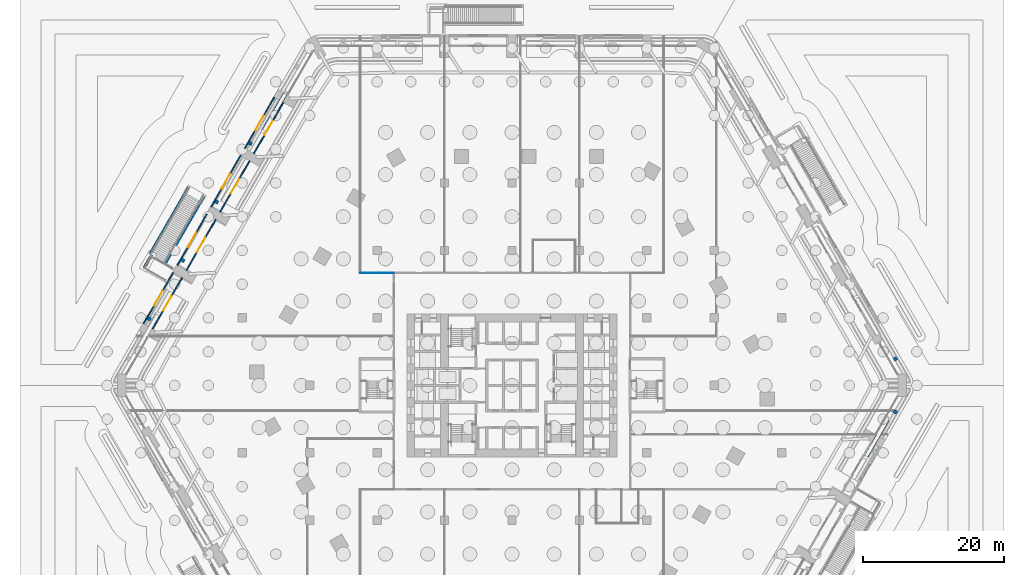
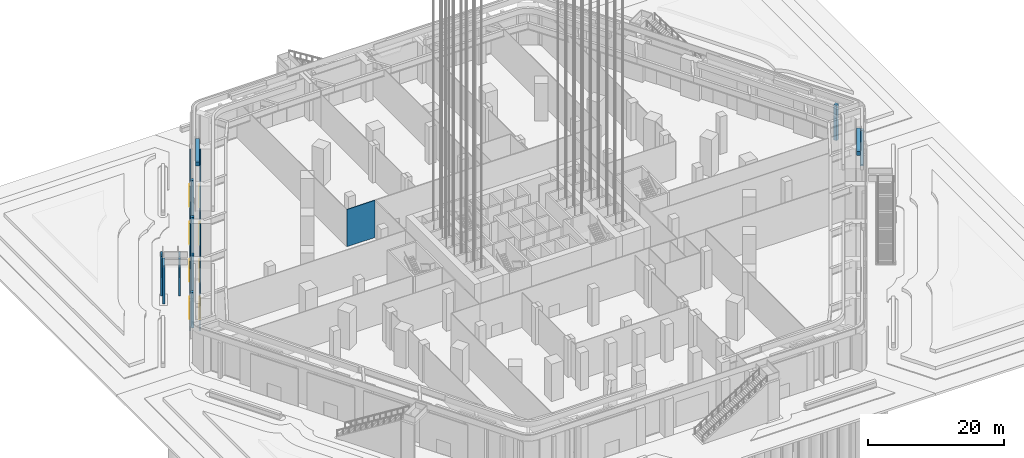
# One storey, part 18 of 68: 20 walls, 8 doors, 8 openings.
"""IFC4 building model written with IfcOpenShell, lengths in metres."""

from ifc_helpers import new_model, si_unit, direction, frame, frame_2d, origin, place, context, subcontext, project, spatial, polyline, rectangle, outline, extrude, material, layer, layer_set, type_object, element, fill, save


model = new_model("IFC4")

# Units and contexts
model_context = context("Model", 3, precision=1e-05, world=origin(), true_north=direction((0.0, 1.0)))
body_context = subcontext(model_context, "Body", "Model", "MODEL_VIEW")
ifc_project = project(units=[si_unit("LENGTHUNIT", "METRE"), si_unit("AREAUNIT", "SQUARE_METRE"), si_unit("VOLUMEUNIT", "CUBIC_METRE"), si_unit("PLANEANGLEUNIT", "RADIAN"), si_unit("MASSUNIT", "GRAM", prefix="KILO")], contexts=[model_context])

# Site, building, storey
site_placement = place(None, origin())
site = spatial("IfcSite", under=ifc_project, at=site_placement, CompositionType="ELEMENT")
building_placement = place(site_placement, origin())
building = spatial("IfcBuilding", under=site, at=building_placement, Name="Kolab Exchange Tower", CompositionType="ELEMENT")
storey_placement = place(building_placement, origin())
storey = spatial("IfcBuildingStorey", under=building, at=storey_placement, Name="L00", CompositionType="ELEMENT", Elevation=0.0)

# Wall, opening, door
ifc_material_1 = material(Name="Aluminium EN AW-6063 T6", Category="aluminium")
ifc_layer_1 = layer(ifc_material_1, 0.159912109375)
ifc_layer_set_1 = layer_set([ifc_layer_1], Name="Aluminium EN AW-6063 T6")
wall_type_1 = type_object("IfcWallType", Name="DOOR SURROUND WALL 160 ALUMINIUM FRAMED", PredefinedType="PARTITIONING", material=ifc_layer_set_1)
wall_1_placement = place(storey_placement, frame((-51.130615234375, 8.045166015625, 0.0), z_axis=(0.0, 0.0, 1.0), x_axis=(0.49999513524, 0.866028212437, 0.0)))
wall_1 = element("IfcWall", 1, at=wall_1_placement, inside=storey, type_object=wall_type_1, Name="Door surround wall", PredefinedType="PARTITIONING", context=body_context, shape_type="SweptSolid", body=[
    extrude(rectangle(XDim=8.39599609375, YDim=0.159912109375, at=frame_2d((4.197998046875, 0.0))), origin(), (0.0, 0.0, 1.0), 6.699951171875),
])
opening_1_placement = place(wall_1_placement, frame((2.998046875, 0.0, 0.0)))
opening_1 = element("IfcOpeningElement", 2, at=opening_1_placement, cuts=wall_1, Name="Opening ED1-022", PredefinedType="OPENING", context=body_context, shape_type="SweptSolid", body=[
    extrude(rectangle(XDim=2.39990234375, YDim=2.39990234375, at=frame_2d((1.199951171875, 1.199951171875))), frame((0.0, 0.08984375, 0.0), z_axis=(0.0, -1.0, 0.0), x_axis=(1.0, 0.0, 0.0)), (0.0, 0.0, 1.0), 0.179931640625),
])
door_type = type_object("IfcDoorType", Name="ENTRANCE DOUBLE DOOR 2400 X 2400", OperationType="DOUBLE_DOOR_DOUBLE_SWING", PredefinedType="DOOR", material=ifc_material_1)
door_1_placement = place(opening_1_placement, origin())
door_1 = element("IfcDoor", 3, at=door_1_placement, inside=storey, type_object=door_type, Name="Entrance door", OperationType="DOUBLE_DOOR_DOUBLE_SWING", OverallHeight=2.39990234375, OverallWidth=2.39990234375, PredefinedType="DOOR", context=body_context, shape_type="SweptSolid", body=[
    extrude(rectangle(XDim=2.39990234375, YDim=2.39990234375, at=frame_2d((1.199951171875, 1.199951171875))), frame((0.0, 0.02490234375, 0.0), z_axis=(0.0, -1.0, 0.0), x_axis=(1.0, 0.0, 0.0)), (0.0, 0.0, 1.0), 0.050048828125),
])
fill(opening_1, door_1)

wall_2_placement = place(storey_placement, frame((-46.33056640625, 16.359130859375, 0.0), z_axis=(0.0, 0.0, 1.0), x_axis=(0.500007726539, 0.866020942819, 0.0)))
wall_2 = element("IfcWall", 4, at=wall_2_placement, inside=storey, type_object=wall_type_1, Name="Door surround wall", PredefinedType="PARTITIONING", context=body_context, shape_type="SweptSolid", body=[
    extrude(rectangle(XDim=8.395751953125, YDim=0.159912109375, at=frame_2d((4.19775390625, 0.0))), origin(), (0.0, 0.0, 1.0), 6.699951171875),
])
opening_2_placement = place(wall_2_placement, frame((2.998046875, 0.0, 0.0)))
opening_2 = element("IfcOpeningElement", 5, at=opening_2_placement, cuts=wall_2, Name="Opening ED1-019", PredefinedType="OPENING", context=body_context, shape_type="SweptSolid", body=[
    extrude(rectangle(XDim=2.39990234375, YDim=2.39990234375, at=frame_2d((1.199951171875, 1.199951171875))), frame((0.0, 0.08984375, 0.0), z_axis=(0.0, -1.0, 0.0), x_axis=(1.0, 0.0, 0.0)), (0.0, 0.0, 1.0), 0.179931640625),
])
door_2_placement = place(opening_2_placement, origin())
door_2 = element("IfcDoor", 6, at=door_2_placement, inside=storey, type_object=door_type, Name="Entrance door", OperationType="DOUBLE_DOOR_DOUBLE_SWING", OverallHeight=2.39990234375, OverallWidth=2.39990234375, PredefinedType="DOOR", context=body_context, shape_type="SweptSolid", body=[
    extrude(rectangle(XDim=2.39990234375, YDim=2.39990234375, at=frame_2d((1.199951171875, 1.199951171875))), frame((0.0, 0.02490234375, 0.0), z_axis=(0.0, -1.0, 0.0), x_axis=(1.0, 0.0, 0.0)), (0.0, 0.0, 1.0), 0.050048828125),
])
fill(opening_2, door_2)

wall_3_placement = place(storey_placement, frame((-41.53076171875, 24.6728515625, 0.0), z_axis=(0.0, 0.0, 1.0), x_axis=(0.49999513524, 0.866028212437, 0.0)))
wall_3 = element("IfcWall", 7, at=wall_3_placement, inside=storey, type_object=wall_type_1, Name="Door surround wall", PredefinedType="PARTITIONING", context=body_context, shape_type="SweptSolid", body=[
    extrude(rectangle(XDim=8.39599609375, YDim=0.159912109375, at=frame_2d((4.197998046875, 0.0))), origin(), (0.0, 0.0, 1.0), 6.699951171875),
])
opening_3_placement = place(wall_3_placement, frame((2.998046875, 0.0, 0.0)))
opening_3 = element("IfcOpeningElement", 8, at=opening_3_placement, cuts=wall_3, Name="Opening ED1-020", PredefinedType="OPENING", context=body_context, shape_type="SweptSolid", body=[
    extrude(rectangle(XDim=2.39990234375, YDim=2.39990234375, at=frame_2d((1.199951171875, 1.199951171875))), frame((0.0, 0.08984375, 0.0), z_axis=(0.0, -1.0, 0.0), x_axis=(1.0, 0.0, 0.0)), (0.0, 0.0, 1.0), 0.179931640625),
])
door_3_placement = place(opening_3_placement, origin())
door_3 = element("IfcDoor", 9, at=door_3_placement, inside=storey, type_object=door_type, Name="Entrance door", OperationType="DOUBLE_DOOR_DOUBLE_SWING", OverallHeight=2.39990234375, OverallWidth=2.39990234375, PredefinedType="DOOR", context=body_context, shape_type="SweptSolid", body=[
    extrude(rectangle(XDim=2.39990234375, YDim=2.39990234375, at=frame_2d((1.199951171875, 1.199951171875))), frame((0.0, 0.02490234375, 0.0), z_axis=(0.0, -1.0, 0.0), x_axis=(1.0, 0.0, 0.0)), (0.0, 0.0, 1.0), 0.050048828125),
])
fill(opening_3, door_3)

wall_4_placement = place(storey_placement, frame((-36.730712890625, 32.98681640625, 0.0), z_axis=(0.0, 0.0, 1.0), x_axis=(0.500007726539, 0.866020942819, 0.0)))
wall_4 = element("IfcWall", 10, at=wall_4_placement, inside=storey, type_object=wall_type_1, Name="Door surround wall", PredefinedType="PARTITIONING", context=body_context, shape_type="SweptSolid", body=[
    extrude(rectangle(XDim=8.395751953125, YDim=0.159912109375, at=frame_2d((4.19775390625, 0.0))), origin(), (0.0, 0.0, 1.0), 6.699951171875),
])
opening_4_placement = place(wall_4_placement, frame((2.998046875, 0.0, 0.0)))
opening_4 = element("IfcOpeningElement", 11, at=opening_4_placement, cuts=wall_4, Name="Opening ED1-021", PredefinedType="OPENING", context=body_context, shape_type="SweptSolid", body=[
    extrude(rectangle(XDim=2.39990234375, YDim=2.39990234375, at=frame_2d((1.199951171875, 1.199951171875))), frame((0.0, 0.08984375, 0.0), z_axis=(0.0, -1.0, 0.0), x_axis=(1.0, 0.0, 0.0)), (0.0, 0.0, 1.0), 0.179931640625),
])
door_4_placement = place(opening_4_placement, origin())
door_4 = element("IfcDoor", 12, at=door_4_placement, inside=storey, type_object=door_type, Name="Entrance door", OperationType="DOUBLE_DOOR_DOUBLE_SWING", OverallHeight=2.39990234375, OverallWidth=2.39990234375, PredefinedType="DOOR", context=body_context, shape_type="SweptSolid", body=[
    extrude(rectangle(XDim=2.39990234375, YDim=2.39990234375, at=frame_2d((1.199951171875, 1.199951171875))), frame((0.0, 0.02490234375, 0.0), z_axis=(0.0, -1.0, 0.0), x_axis=(1.0, 0.0, 0.0)), (0.0, 0.0, 1.0), 0.050048828125),
])
fill(opening_4, door_4)

wall_5_placement = place(storey_placement, frame((-52.411376953125, 8.786865234375, 0.0), z_axis=(0.0, 0.0, 1.0), x_axis=(0.499996941814, 0.866027169422, 0.0)))
wall_5 = element("IfcWall", 13, at=wall_5_placement, inside=storey, type_object=wall_type_1, Name="Door surround wall", PredefinedType="PARTITIONING", context=body_context, shape_type="SweptSolid", body=[
    extrude(rectangle(XDim=8.39208984375, YDim=0.159912109375, at=frame_2d((4.196044921875, 0.0))), origin(), (0.0, 0.0, 1.0), 6.699951171875),
])
opening_5_placement = place(wall_5_placement, frame((2.99609375, 0.0, 0.0)))
opening_5 = element("IfcOpeningElement", 14, at=opening_5_placement, cuts=wall_5, Name="Opening ED1-041", PredefinedType="OPENING", context=body_context, shape_type="SweptSolid", body=[
    extrude(rectangle(XDim=2.39990234375, YDim=2.39990234375, at=frame_2d((1.199951171875, 1.199951171875))), frame((0.0, 0.08984375, 0.0), z_axis=(0.0, -1.0, 0.0), x_axis=(1.0, 0.0, 0.0)), (0.0, 0.0, 1.0), 0.179931640625),
])
door_5_placement = place(opening_5_placement, origin())
door_5 = element("IfcDoor", 15, at=door_5_placement, inside=storey, type_object=door_type, Name="Entrance door", OperationType="DOUBLE_DOOR_DOUBLE_SWING", OverallHeight=2.39990234375, OverallWidth=2.39990234375, PredefinedType="DOOR", context=body_context, shape_type="SweptSolid", body=[
    extrude(rectangle(XDim=2.39990234375, YDim=2.39990234375, at=frame_2d((1.199951171875, 1.199951171875))), frame((0.0, 0.02490234375, 0.0), z_axis=(0.0, -1.0, 0.0), x_axis=(1.0, 0.0, 0.0)), (0.0, 0.0, 1.0), 0.050048828125),
])
fill(opening_5, door_5)

wall_6_placement = place(storey_placement, frame((-47.611328125, 17.100830078125, 0.0), z_axis=(0.0, 0.0, 1.0), x_axis=(0.500009539049, 0.866019896342, 0.0)))
wall_6 = element("IfcWall", 16, at=wall_6_placement, inside=storey, type_object=wall_type_1, Name="Door surround wall", PredefinedType="PARTITIONING", context=body_context, shape_type="SweptSolid", body=[
    extrude(rectangle(XDim=8.391845703125, YDim=0.159912109375, at=frame_2d((4.19580078125, 0.0))), origin(), (0.0, 0.0, 1.0), 6.699951171875),
])
opening_6_placement = place(wall_6_placement, frame((2.99609375, 0.0, 0.0)))
opening_6 = element("IfcOpeningElement", 17, at=opening_6_placement, cuts=wall_6, Name="Opening ED1-042", PredefinedType="OPENING", context=body_context, shape_type="SweptSolid", body=[
    extrude(rectangle(XDim=2.39990234375, YDim=2.39990234375, at=frame_2d((1.199951171875, 1.199951171875))), frame((0.0, 0.08984375, 0.0), z_axis=(0.0, -1.0, 0.0), x_axis=(1.0, 0.0, 0.0)), (0.0, 0.0, 1.0), 0.179931640625),
])
door_6_placement = place(opening_6_placement, origin())
door_6 = element("IfcDoor", 18, at=door_6_placement, inside=storey, type_object=door_type, Name="Entrance door", OperationType="DOUBLE_DOOR_DOUBLE_SWING", OverallHeight=2.39990234375, OverallWidth=2.39990234375, PredefinedType="DOOR", context=body_context, shape_type="SweptSolid", body=[
    extrude(rectangle(XDim=2.39990234375, YDim=2.39990234375, at=frame_2d((1.199951171875, 1.199951171875))), frame((0.0, 0.02490234375, 0.0), z_axis=(0.0, -1.0, 0.0), x_axis=(1.0, 0.0, 0.0)), (0.0, 0.0, 1.0), 0.050048828125),
])
fill(opening_6, door_6)

wall_7_placement = place(storey_placement, frame((-42.811279296875, 25.41455078125, 0.0), z_axis=(0.0, 0.0, 1.0), x_axis=(0.499975122566, 0.866039766301, 0.0)))
wall_7 = element("IfcWall", 19, at=wall_7_placement, inside=storey, type_object=wall_type_1, Name="Door surround wall", PredefinedType="PARTITIONING", context=body_context, shape_type="SweptSolid", body=[
    extrude(rectangle(XDim=8.39208984375, YDim=0.159912109375, at=frame_2d((4.196044921875, 0.0))), origin(), (0.0, 0.0, 1.0), 6.699951171875),
])
opening_7_placement = place(wall_7_placement, frame((2.99609375, 0.0, 0.0)))
opening_7 = element("IfcOpeningElement", 20, at=opening_7_placement, cuts=wall_7, Name="Opening ED1-043", PredefinedType="OPENING", context=body_context, shape_type="SweptSolid", body=[
    extrude(rectangle(XDim=2.39990234375, YDim=2.39990234375, at=frame_2d((1.199951171875, 1.199951171875))), frame((0.0, 0.08984375, 0.0), z_axis=(0.0, -1.0, 0.0), x_axis=(1.0, 0.0, 0.0)), (0.0, 0.0, 1.0), 0.179931640625),
])
door_7_placement = place(opening_7_placement, origin())
door_7 = element("IfcDoor", 21, at=door_7_placement, inside=storey, type_object=door_type, Name="Entrance door", OperationType="DOUBLE_DOOR_DOUBLE_SWING", OverallHeight=2.39990234375, OverallWidth=2.39990234375, PredefinedType="DOOR", context=body_context, shape_type="SweptSolid", body=[
    extrude(rectangle(XDim=2.39990234375, YDim=2.39990234375, at=frame_2d((1.199951171875, 1.199951171875))), frame((0.0, 0.02490234375, 0.0), z_axis=(0.0, -1.0, 0.0), x_axis=(1.0, 0.0, 0.0)), (0.0, 0.0, 1.0), 0.050048828125),
])
fill(opening_7, door_7)

wall_8_placement = place(storey_placement, frame((-38.011474609375, 33.728515625, 0.0), z_axis=(0.0, 0.0, 1.0), x_axis=(0.500009539049, 0.866019896342, 0.0)))
wall_8 = element("IfcWall", 22, at=wall_8_placement, inside=storey, type_object=wall_type_1, Name="Door surround wall", PredefinedType="PARTITIONING", context=body_context, shape_type="SweptSolid", body=[
    extrude(rectangle(XDim=8.391845703125, YDim=0.159912109375, at=frame_2d((4.19580078125, 0.0))), origin(), (0.0, 0.0, 1.0), 6.699951171875),
])
opening_8_placement = place(wall_8_placement, frame((2.99609375, 0.0, 0.0)))
opening_8 = element("IfcOpeningElement", 23, at=opening_8_placement, cuts=wall_8, Name="Opening ED1-044", PredefinedType="OPENING", context=body_context, shape_type="SweptSolid", body=[
    extrude(rectangle(XDim=2.39990234375, YDim=2.39990234375, at=frame_2d((1.199951171875, 1.199951171875))), frame((0.0, 0.08984375, 0.0), z_axis=(0.0, -1.0, 0.0), x_axis=(1.0, 0.0, 0.0)), (0.0, 0.0, 1.0), 0.179931640625),
])
door_8_placement = place(opening_8_placement, origin())
door_8 = element("IfcDoor", 24, at=door_8_placement, inside=storey, type_object=door_type, Name="Entrance door", OperationType="DOUBLE_DOOR_DOUBLE_SWING", OverallHeight=2.39990234375, OverallWidth=2.39990234375, PredefinedType="DOOR", context=body_context, shape_type="SweptSolid", body=[
    extrude(rectangle(XDim=2.39990234375, YDim=2.39990234375, at=frame_2d((1.199951171875, 1.199951171875))), frame((0.0, 0.02490234375, 0.0), z_axis=(0.0, -1.0, 0.0), x_axis=(1.0, 0.0, 0.0)), (0.0, 0.0, 1.0), 0.050048828125),
])
fill(opening_8, door_8)

# Walls
ifc_material_2 = material(Name="Gypsum board", Category="gypsum")
ifc_layer_2 = layer(ifc_material_2, 0.10009765625)
ifc_layer_set_2 = layer_set([ifc_layer_2], Name="Gypsum board")
wall_type_2 = type_object("IfcWallType", Name="PARTITION 100", PredefinedType="PARTITIONING", material=ifc_layer_set_2)
wall_9_placement = place(storey_placement, frame((-21.60009765625, 16.0, 0.0), z_axis=(0.0, 0.0, 1.0), x_axis=(1.0, 0.0, 0.0)))
element("IfcWall", 25, at=wall_9_placement, inside=storey, type_object=wall_type_2, Name="Partition 038", PredefinedType="PARTITIONING", context=body_context, shape_type="SweptSolid", body=[
    extrude(rectangle(XDim=4.800048828125, YDim=0.10009765625, at=frame_2d((2.39990234375, 0.0))), origin(), (0.0, 0.0, 1.0), 6.699951171875),
])
ifc_material_3 = material(Name="Granite facing", Category="masonry")
ifc_layer_3 = layer(ifc_material_3, 0.0400390625)
ifc_material_4 = material(Name="Concrete C40/50 precast", Category="concrete")
ifc_layer_4 = layer(ifc_material_4, 0.56005859375)
ifc_layer_set_3 = layer_set([ifc_layer_3, ifc_layer_4], Name="Concrete C40/50 precast")
wall_type_3 = type_object("IfcWallType", Name="PLANTER BOX 600 X 700 SOIL DEPTH 550", PredefinedType="USERDEFINED", material=ifc_layer_set_3)
for number, where, z_axis, x_axis, name in (
    (26, (53.40478515625, -4.865234375, 7.0), (0.0, 0.0, 1.0), (-0.499990139034, -0.866031096941, 0.0), "Planter"),
    (27, (-35.269775390625, 36.277099609375, 7.0), (0.0, 0.0, 1.0), (0.499990139034, 0.866031096941, 0.0), "Planter"),
):
    element("IfcWall", number, at=place(storey_placement, frame(where, z_axis=z_axis, x_axis=x_axis)), inside=storey, type_object=wall_type_3, Name=name, ObjectType="PLANTER", PredefinedType="USERDEFINED", context=body_context, shape_type="SweptSolid", body=[
        extrude(rectangle(XDim=6.0, YDim=0.60009765625, at=frame_2d((3.0, 0.0))), origin(), (0.0, 0.0, 1.0), 0.699951171875),
    ])
ifc_layer_5 = layer(ifc_material_3, 0.0400390625)
ifc_material_5 = material(Name="Concrete C40/50", Category="concrete")
ifc_layer_6 = layer(ifc_material_5, 0.2099609375)
ifc_layer_set_4 = layer_set([ifc_layer_5, ifc_layer_6], Name="Concrete C40/50")
wall_type_4 = type_object("IfcWallType", Name="STAIR CHEEK WALL 250", PredefinedType="SOLIDWALL", material=ifc_layer_set_4)
for number, where, z_axis, x_axis, name in (
    (28, (-43.79736328125, 26.85693359375, 0.0), (0.0, 0.0, 1.0), (-0.499995975244, -0.866027727466, 0.0), "Stair cheek wall"),
    (29, (-46.09228515625, 28.181884765625, 0.0), (0.0, 0.0, 1.0), (-0.499995975244, -0.866027727466, 0.0), "Stair cheek wall"),
):
    element("IfcWall", number, at=place(storey_placement, frame(where, z_axis=z_axis, x_axis=x_axis)), inside=storey, type_object=wall_type_4, Name=name, PredefinedType="SOLIDWALL", context=body_context, shape_type="SweptSolid", body=[
        extrude(outline(polyline([(0.0, 0.0), (10.919921875, 0.0), (10.919921875, 7.10009765625), (0.0, 0.27490234375), (0.0, 0.0)])), frame((0.0, 0.125, 0.0), z_axis=(0.0, -1.0, 0.0), x_axis=(1.0, 0.0, 0.0)), (0.0, 0.0, 1.0), 0.25),
    ])
ifc_layer_7 = layer(ifc_material_5, 0.39990234375)
ifc_layer_set_5 = layer_set([ifc_layer_7], Name="Concrete C40/50")
wall_type_5 = type_object("IfcWallType", Name="STAIR LANDING SUPPORT PIER 2100 X 400", PredefinedType="SOLIDWALL", material=ifc_layer_set_5)
wall_10_placement = place(storey_placement, frame((-52.32080078125, 16.74365234375, 0.0), z_axis=(0.0, 0.0, 1.0), x_axis=(0.49994051562, 0.866059744384, 0.0)))
element("IfcWall", 30, at=wall_10_placement, inside=storey, type_object=wall_type_5, Name="Stair landing support pier", PredefinedType="SOLIDWALL", context=body_context, shape_type="SweptSolid", body=[
    extrude(rectangle(XDim=2.099853515625, YDim=0.39990234375, at=frame_2d((1.0498046875, 0.0))), origin(), (0.0, 0.0, 1.0), 6.800048828125),
])
ifc_layer_8 = layer(ifc_material_3, 0.5)
ifc_layer_set_6 = layer_set([ifc_layer_8], Name="Granite facing")
wall_type_6 = type_object("IfcWallType", Name="STONE FACADE FIN 500 X 500", PredefinedType="SOLIDWALL", material=ifc_layer_set_6)
for number, where, z_axis, x_axis, name in (
    (31, (54.425048828125, 3.99853515625, 0.0), (0.0, 0.0, 1.0), (0.499919672301, -0.866071776036, 0.0), "Stone facade fin"),
    (32, (54.675048828125, -3.5654296875, 0.0), (0.0, 0.0, 1.0), (-0.499919672301, -0.866071776036, 0.0), "Stone facade fin"),
):
    element("IfcWall", number, at=place(storey_placement, frame(where, z_axis=z_axis, x_axis=x_axis)), inside=storey, type_object=wall_type_6, Name=name, PredefinedType="SOLIDWALL", context=body_context, shape_type="SweptSolid", body=[
        extrude(rectangle(XDim=0.5, YDim=0.5, at=frame_2d((0.25, 0.0))), origin(), (0.0, 0.0, 1.0), 6.39990234375),
    ])
wall_11_placement = place(storey_placement, frame((-51.752685546875, 9.26806640625, 0.0), z_axis=(0.0, 0.0, 1.0), x_axis=(0.500131122175, 0.865949687125, 0.0)))
element("IfcWall", 33, at=wall_11_placement, inside=storey, type_object=wall_type_6, Name="Stone facade fin", PredefinedType="SOLIDWALL", context=body_context, shape_type="SweptSolid", body=[
    extrude(rectangle(XDim=0.499755859375, YDim=0.5, at=frame_2d((0.25, 0.0))), origin(), (0.0, 0.0, 1.0), 6.39990234375),
])
wall_12_placement = place(storey_placement, frame((-46.95263671875, 17.581787109375, 0.0), z_axis=(0.0, 0.0, 1.0), x_axis=(0.499919672301, 0.866071776036, 0.0)))
element("IfcWall", 34, at=wall_12_placement, inside=storey, type_object=wall_type_6, Name="Stone facade fin", PredefinedType="SOLIDWALL", context=body_context, shape_type="SweptSolid", body=[
    extrude(rectangle(XDim=0.5, YDim=0.5, at=frame_2d((0.25, 0.0))), origin(), (0.0, 0.0, 1.0), 6.39990234375),
])
wall_13_placement = place(storey_placement, frame((-42.152587890625, 25.895751953125, 0.0), z_axis=(0.0, 0.0, 1.0), x_axis=(0.500131122175, 0.865949687125, 0.0)))
element("IfcWall", 35, at=wall_13_placement, inside=storey, type_object=wall_type_6, Name="Stone facade fin", PredefinedType="SOLIDWALL", context=body_context, shape_type="SweptSolid", body=[
    extrude(rectangle(XDim=0.499755859375, YDim=0.5, at=frame_2d((0.25, 0.0))), origin(), (0.0, 0.0, 1.0), 6.39990234375),
])
wall_14_placement = place(storey_placement, frame((-37.3525390625, 34.20947265625, 0.0), z_axis=(0.0, 0.0, 1.0), x_axis=(0.499919672301, 0.866071776036, 0.0)))
element("IfcWall", 36, at=wall_14_placement, inside=storey, type_object=wall_type_6, Name="Stone facade fin", PredefinedType="SOLIDWALL", context=body_context, shape_type="SweptSolid", body=[
    extrude(rectangle(XDim=0.5, YDim=0.5, at=frame_2d((0.25, 0.0))), origin(), (0.0, 0.0, 1.0), 6.39990234375),
])

save(model, "model.ifc")
